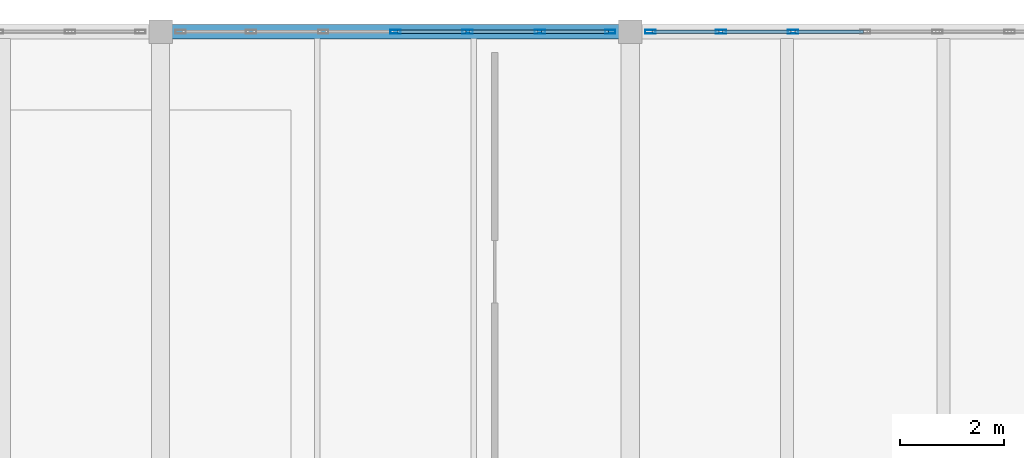
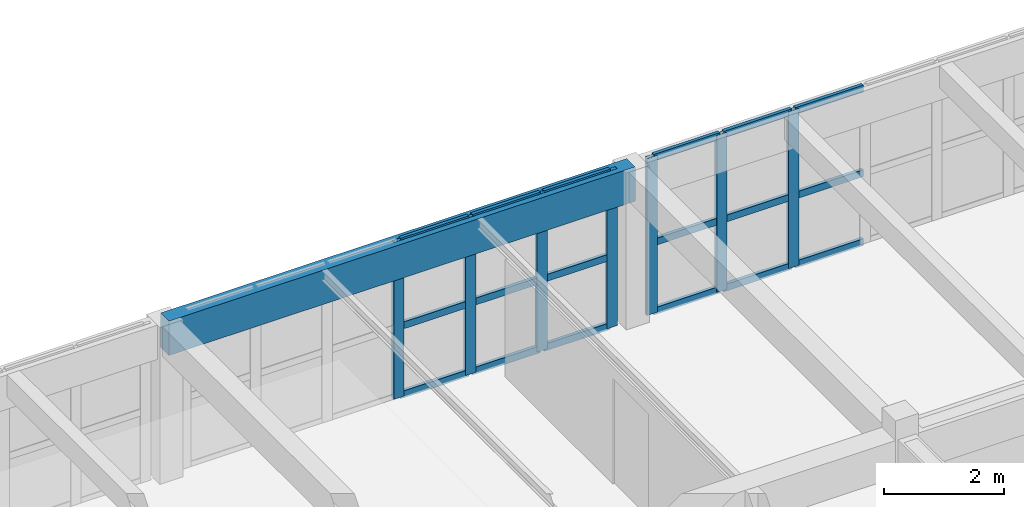
# One storey, part 53 of 80: 25 members, 1 beam, 2 elements without a shape of their own.
"""IFC4 building model written with IfcOpenShell, lengths in metres."""

from ifc_helpers import new_model, si_unit, direction, frame, origin, origin_2d, place, context, subcontext, project, spatial, rectangle, hollow_rectangle, extrude, material, layer, layer_set, material_profile, profile_set, type_object, element, aggregate, save


model = new_model("IFC4")

# Units and contexts
model_context = context("Model", 3, precision=1e-05, world=origin(), true_north=direction((0.0, 1.0)))
body_context = subcontext(model_context, "Body", "Model", "MODEL_VIEW")
ifc_project = project(units=[si_unit("LENGTHUNIT", "METRE"), si_unit("AREAUNIT", "SQUARE_METRE"), si_unit("VOLUMEUNIT", "CUBIC_METRE"), si_unit("PLANEANGLEUNIT", "RADIAN"), si_unit("MASSUNIT", "GRAM", prefix="KILO")], contexts=[model_context])

# Site, building, storey
site_placement = place(None, origin())
site = spatial("IfcSite", under=ifc_project, at=site_placement, CompositionType="ELEMENT")
building_placement = place(site_placement, origin())
building = spatial("IfcBuilding", under=site, at=building_placement, Name="Ornek Quay Market", CompositionType="ELEMENT")
storey_placement = place(building_placement, frame((0.0, 0.0, 8.39990234375)))
storey = spatial("IfcBuildingStorey", under=building, at=storey_placement, Name="L02", CompositionType="ELEMENT", Elevation=8.39990234375)

# Beam
ifc_material_1 = material(Name="Concrete C35/45", Category="concrete")
ifc_material_profile_1 = material_profile(ifc_material_1, rectangle(XDim=0.280029296875, YDim=0.699951171875, at=origin_2d()), Name="RC 280x700", Category="concrete")
ifc_profile_set_1 = profile_set([ifc_material_profile_1], Name="Concrete C35/45")
beam_type = type_object("IfcBeamType", Name="BM-SPN-280x700", PredefinedType="SPANDREL", material=ifc_profile_set_1)
beam_placement = place(storey_placement, frame((162.0, 110.0, 2.85009765625), z_axis=(1.0, 0.0, 0.0), x_axis=(0.0, 1.0, 0.0)))
element("IfcBeam", 1, at=beam_placement, inside=storey, type_object=beam_type, Name="Primary beam B-SP2-091", PredefinedType="SPANDREL", context=body_context, shape_type="SweptSolid", body=[
    extrude(rectangle(XDim=0.280029296875, YDim=0.699951171875, at=origin_2d()), origin(), (0.0, 0.0, 1.0), 9.0),
])

# Curtain wall, members
ifc_material_2 = material(Name="Anodised bronze aluminium and triple low-e glass", Category="aluminium")
ifc_layer = layer(ifc_material_2, 0.18994140625, Name="Anodised bronze aluminium and triple low-e glass", Category="aluminium")
ifc_layer_set = layer_set([ifc_layer], Name="Anodised bronze aluminium and triple low-e glass")
curtain_wall_type = type_object("IfcCurtainWallType", Name="CW-FC-MOD1500", PredefinedType="USERDEFINED", material=ifc_layer_set)
curtain_wall_1_placement = place(storey_placement, origin())
curtain_wall_1 = element("IfcCurtainWall", 2, at=curtain_wall_1_placement, inside=storey, type_object=curtain_wall_type, Name="Curtain wall CW-089", ObjectType="CURTAIN WALL", PredefinedType="USERDEFINED")
ifc_material_3 = material(Name="Anodised aluminium 6063-T6", Category="aluminium")
ifc_material_profile_2 = material_profile(ifc_material_3, hollow_rectangle(XDim=0.070068359375, YDim=0.199951171875, WallThickness=0.0048828125, at=origin_2d()), Name="CW-MUL-70x200", Category="aluminium")
ifc_profile_set_2 = profile_set([ifc_material_profile_2], Name="Anodised aluminium 6063-T6")
member_type_1 = type_object("IfcMemberType", Name="CW-MUL-70x200", PredefinedType="MULLION", material=ifc_profile_set_2)
member_1_placement = place(storey_placement, frame((166.5, 110.0, 0.0), z_axis=(0.0, 0.0, 1.0), x_axis=(0.0, 1.0, 0.0)))
member_1 = element("IfcMember", 3, at=member_1_placement, type_object=member_type_1, Name="CW-089 mullion 4", PredefinedType="MULLION", context=body_context, shape_type="SweptSolid", body=[
    extrude(hollow_rectangle(XDim=0.070068359375, YDim=0.199951171875, WallThickness=0.0048828125, at=origin_2d()), origin(), (0.0, 0.0, 1.0), 3.2001953125),
])
member_2_placement = place(storey_placement, frame((167.88330078125, 110.0, 0.0), z_axis=(0.0, 0.0, 1.0), x_axis=(0.0, 1.0, 0.0)))
member_2 = element("IfcMember", 4, at=member_2_placement, type_object=member_type_1, Name="CW-089 mullion 5", PredefinedType="MULLION", context=body_context, shape_type="SweptSolid", body=[
    extrude(hollow_rectangle(XDim=0.070068359375, YDim=0.199951171875, WallThickness=0.0048828125, at=origin_2d()), origin(), (0.0, 0.0, 1.0), 3.2001953125),
])
member_3_placement = place(storey_placement, frame((169.2666015625, 110.0, 0.0), z_axis=(0.0, 0.0, 1.0), x_axis=(0.0, 1.0, 0.0)))
member_3 = element("IfcMember", 5, at=member_3_placement, type_object=member_type_1, Name="CW-089 mullion 6", PredefinedType="MULLION", context=body_context, shape_type="SweptSolid", body=[
    extrude(hollow_rectangle(XDim=0.070068359375, YDim=0.199951171875, WallThickness=0.0048828125, at=origin_2d()), origin(), (0.0, 0.0, 1.0), 3.2001953125),
])
member_4_placement = place(storey_placement, frame((170.614990234375, 110.0, 0.0), z_axis=(0.0, 0.0, 1.0), x_axis=(0.0, 1.0, 0.0)))
member_4 = element("IfcMember", 6, at=member_4_placement, type_object=member_type_1, Name="CW-089 mullion 7", PredefinedType="MULLION", context=body_context, shape_type="SweptSolid", body=[
    extrude(hollow_rectangle(XDim=0.070068359375, YDim=0.199951171875, WallThickness=0.0048828125, at=origin_2d()), origin(), (0.0, 0.0, 1.0), 3.2001953125),
])

curtain_wall_2_placement = place(storey_placement, origin())
curtain_wall_2 = element("IfcCurtainWall", 7, at=curtain_wall_2_placement, inside=storey, type_object=curtain_wall_type, Name="Curtain wall CW-090", ObjectType="CURTAIN WALL", PredefinedType="USERDEFINED")
member_5_placement = place(storey_placement, frame((171.385009765625, 110.0, 0.0), z_axis=(0.0, 0.0, 1.0), x_axis=(0.0, 1.0, 0.0)))
member_5 = element("IfcMember", 8, at=member_5_placement, type_object=member_type_1, Name="CW-090 mullion 1", PredefinedType="MULLION", context=body_context, shape_type="SweptSolid", body=[
    extrude(hollow_rectangle(XDim=0.070068359375, YDim=0.199951171875, WallThickness=0.0048828125, at=origin_2d()), origin(), (0.0, 0.0, 1.0), 3.2001953125),
])
member_6_placement = place(storey_placement, frame((172.7333984375, 110.0, 0.0), z_axis=(0.0, 0.0, 1.0), x_axis=(0.0, 1.0, 0.0)))
member_6 = element("IfcMember", 9, at=member_6_placement, type_object=member_type_1, Name="CW-090 mullion 2", PredefinedType="MULLION", context=body_context, shape_type="SweptSolid", body=[
    extrude(hollow_rectangle(XDim=0.070068359375, YDim=0.199951171875, WallThickness=0.0048828125, at=origin_2d()), origin(), (0.0, 0.0, 1.0), 3.2001953125),
])
member_7_placement = place(storey_placement, frame((174.11669921875, 110.0, 0.0), z_axis=(0.0, 0.0, 1.0), x_axis=(0.0, 1.0, 0.0)))
member_7 = element("IfcMember", 10, at=member_7_placement, type_object=member_type_1, Name="CW-090 mullion 3", PredefinedType="MULLION", context=body_context, shape_type="SweptSolid", body=[
    extrude(hollow_rectangle(XDim=0.070068359375, YDim=0.199951171875, WallThickness=0.0048828125, at=origin_2d()), origin(), (0.0, 0.0, 1.0), 3.2001953125),
])

# Member
ifc_material_profile_3 = material_profile(ifc_material_3, hollow_rectangle(XDim=0.06494140625, YDim=0.139892578125, WallThickness=0.00439453125, at=origin_2d()), Name="CW-TRN-65x140", Category="aluminium")
ifc_profile_set_3 = profile_set([ifc_material_profile_3], Name="Anodised aluminium 6063-T6")
member_type_2 = type_object("IfcMemberType", Name="CW-TRN-65x140", PredefinedType="USERDEFINED", material=ifc_profile_set_3)
member_8_placement = place(storey_placement, frame((166.534912109375, 110.0, 0.03271484375), z_axis=(1.0, 0.0, 0.0), x_axis=(0.0, 1.0, 0.0)))
member_8 = element("IfcMember", 11, at=member_8_placement, type_object=member_type_2, Name="CW-089 transom 4.1", ObjectType="TRANSOM", PredefinedType="USERDEFINED", context=body_context, shape_type="SweptSolid", body=[
    extrude(hollow_rectangle(XDim=0.06494140625, YDim=0.139892578125, WallThickness=0.00439453125, at=origin_2d()), origin(), (0.0, 0.0, 1.0), 1.3134765625),
])

member_9_placement = place(storey_placement, frame((166.534912109375, 110.0, 1.440185546875), z_axis=(1.0, 0.0, 0.0), x_axis=(0.0, 1.0, 0.0)))
member_9 = element("IfcMember", 12, at=member_9_placement, type_object=member_type_2, Name="CW-089 transom 4.2", ObjectType="TRANSOM", PredefinedType="USERDEFINED", context=body_context, shape_type="SweptSolid", body=[
    extrude(hollow_rectangle(XDim=0.06494140625, YDim=0.139892578125, WallThickness=0.00439453125, at=origin_2d()), origin(), (0.0, 0.0, 1.0), 1.3134765625),
])

member_10_placement = place(storey_placement, frame((166.534912109375, 110.0, 3.16748046875), z_axis=(1.0, 0.0, 0.0), x_axis=(0.0, 1.0, 0.0)))
member_10 = element("IfcMember", 13, at=member_10_placement, type_object=member_type_2, Name="CW-089 transom 4.3", ObjectType="TRANSOM", PredefinedType="USERDEFINED", context=body_context, shape_type="SweptSolid", body=[
    extrude(hollow_rectangle(XDim=0.06494140625, YDim=0.139892578125, WallThickness=0.00439453125, at=origin_2d()), origin(), (0.0, 0.0, 1.0), 1.3134765625),
])

member_11_placement = place(storey_placement, frame((167.918212890625, 110.0, 0.03271484375), z_axis=(1.0, 0.0, 0.0), x_axis=(0.0, 1.0, 0.0)))
member_11 = element("IfcMember", 14, at=member_11_placement, type_object=member_type_2, Name="CW-089 transom 5.1", ObjectType="TRANSOM", PredefinedType="USERDEFINED", context=body_context, shape_type="SweptSolid", body=[
    extrude(hollow_rectangle(XDim=0.06494140625, YDim=0.139892578125, WallThickness=0.00439453125, at=origin_2d()), origin(), (0.0, 0.0, 1.0), 1.3134765625),
])

member_12_placement = place(storey_placement, frame((167.918212890625, 110.0, 1.440185546875), z_axis=(1.0, 0.0, 0.0), x_axis=(0.0, 1.0, 0.0)))
member_12 = element("IfcMember", 15, at=member_12_placement, type_object=member_type_2, Name="CW-089 transom 5.2", ObjectType="TRANSOM", PredefinedType="USERDEFINED", context=body_context, shape_type="SweptSolid", body=[
    extrude(hollow_rectangle(XDim=0.06494140625, YDim=0.139892578125, WallThickness=0.00439453125, at=origin_2d()), origin(), (0.0, 0.0, 1.0), 1.3134765625),
])

member_13_placement = place(storey_placement, frame((167.918212890625, 110.0, 3.16748046875), z_axis=(1.0, 0.0, 0.0), x_axis=(0.0, 1.0, 0.0)))
member_13 = element("IfcMember", 16, at=member_13_placement, type_object=member_type_2, Name="CW-089 transom 5.3", ObjectType="TRANSOM", PredefinedType="USERDEFINED", context=body_context, shape_type="SweptSolid", body=[
    extrude(hollow_rectangle(XDim=0.06494140625, YDim=0.139892578125, WallThickness=0.00439453125, at=origin_2d()), origin(), (0.0, 0.0, 1.0), 1.3134765625),
])

member_14_placement = place(storey_placement, frame((169.3017578125, 110.0, 0.03271484375), z_axis=(1.0, 0.0, 0.0), x_axis=(0.0, 1.0, 0.0)))
member_14 = element("IfcMember", 17, at=member_14_placement, type_object=member_type_2, Name="CW-089 transom 6.1", ObjectType="TRANSOM", PredefinedType="USERDEFINED", context=body_context, shape_type="SweptSolid", body=[
    extrude(hollow_rectangle(XDim=0.06494140625, YDim=0.139892578125, WallThickness=0.00439453125, at=origin_2d()), origin(), (0.0, 0.0, 1.0), 1.2783203125),
])

member_15_placement = place(storey_placement, frame((169.3017578125, 110.0, 1.440185546875), z_axis=(1.0, 0.0, 0.0), x_axis=(0.0, 1.0, 0.0)))
member_15 = element("IfcMember", 18, at=member_15_placement, type_object=member_type_2, Name="CW-089 transom 6.2", ObjectType="TRANSOM", PredefinedType="USERDEFINED", context=body_context, shape_type="SweptSolid", body=[
    extrude(hollow_rectangle(XDim=0.06494140625, YDim=0.139892578125, WallThickness=0.00439453125, at=origin_2d()), origin(), (0.0, 0.0, 1.0), 1.2783203125),
])

member_16_placement = place(storey_placement, frame((169.3017578125, 110.0, 3.16748046875), z_axis=(1.0, 0.0, 0.0), x_axis=(0.0, 1.0, 0.0)))
member_16 = element("IfcMember", 19, at=member_16_placement, type_object=member_type_2, Name="CW-089 transom 6.3", ObjectType="TRANSOM", PredefinedType="USERDEFINED", context=body_context, shape_type="SweptSolid", body=[
    extrude(hollow_rectangle(XDim=0.06494140625, YDim=0.139892578125, WallThickness=0.00439453125, at=origin_2d()), origin(), (0.0, 0.0, 1.0), 1.2783203125),
])

aggregate(curtain_wall_1, [member_1, member_2, member_3, member_4, member_8, member_9, member_10, member_11, member_12, member_13, member_14, member_15, member_16])

member_17_placement = place(storey_placement, frame((171.419921875, 110.0, 0.03271484375), z_axis=(1.0, 0.0, 0.0), x_axis=(0.0, 1.0, 0.0)))
member_17 = element("IfcMember", 20, at=member_17_placement, type_object=member_type_2, Name="CW-090 transom 1.1", ObjectType="TRANSOM", PredefinedType="USERDEFINED", context=body_context, shape_type="SweptSolid", body=[
    extrude(hollow_rectangle(XDim=0.06494140625, YDim=0.139892578125, WallThickness=0.00439453125, at=origin_2d()), origin(), (0.0, 0.0, 1.0), 1.2783203125),
])

member_18_placement = place(storey_placement, frame((171.419921875, 110.0, 1.440185546875), z_axis=(1.0, 0.0, 0.0), x_axis=(0.0, 1.0, 0.0)))
member_18 = element("IfcMember", 21, at=member_18_placement, type_object=member_type_2, Name="CW-090 transom 1.2", ObjectType="TRANSOM", PredefinedType="USERDEFINED", context=body_context, shape_type="SweptSolid", body=[
    extrude(hollow_rectangle(XDim=0.06494140625, YDim=0.139892578125, WallThickness=0.00439453125, at=origin_2d()), origin(), (0.0, 0.0, 1.0), 1.2783203125),
])

member_19_placement = place(storey_placement, frame((171.419921875, 110.0, 3.16748046875), z_axis=(1.0, 0.0, 0.0), x_axis=(0.0, 1.0, 0.0)))
member_19 = element("IfcMember", 22, at=member_19_placement, type_object=member_type_2, Name="CW-090 transom 1.3", ObjectType="TRANSOM", PredefinedType="USERDEFINED", context=body_context, shape_type="SweptSolid", body=[
    extrude(hollow_rectangle(XDim=0.06494140625, YDim=0.139892578125, WallThickness=0.00439453125, at=origin_2d()), origin(), (0.0, 0.0, 1.0), 1.2783203125),
])

member_20_placement = place(storey_placement, frame((172.768310546875, 110.0, 0.03271484375), z_axis=(1.0, 0.0, 0.0), x_axis=(0.0, 1.0, 0.0)))
member_20 = element("IfcMember", 23, at=member_20_placement, type_object=member_type_2, Name="CW-090 transom 2.1", ObjectType="TRANSOM", PredefinedType="USERDEFINED", context=body_context, shape_type="SweptSolid", body=[
    extrude(hollow_rectangle(XDim=0.06494140625, YDim=0.139892578125, WallThickness=0.00439453125, at=origin_2d()), origin(), (0.0, 0.0, 1.0), 1.3134765625),
])

member_21_placement = place(storey_placement, frame((172.768310546875, 110.0, 1.440185546875), z_axis=(1.0, 0.0, 0.0), x_axis=(0.0, 1.0, 0.0)))
member_21 = element("IfcMember", 24, at=member_21_placement, type_object=member_type_2, Name="CW-090 transom 2.2", ObjectType="TRANSOM", PredefinedType="USERDEFINED", context=body_context, shape_type="SweptSolid", body=[
    extrude(hollow_rectangle(XDim=0.06494140625, YDim=0.139892578125, WallThickness=0.00439453125, at=origin_2d()), origin(), (0.0, 0.0, 1.0), 1.3134765625),
])

member_22_placement = place(storey_placement, frame((172.768310546875, 110.0, 3.16748046875), z_axis=(1.0, 0.0, 0.0), x_axis=(0.0, 1.0, 0.0)))
member_22 = element("IfcMember", 25, at=member_22_placement, type_object=member_type_2, Name="CW-090 transom 2.3", ObjectType="TRANSOM", PredefinedType="USERDEFINED", context=body_context, shape_type="SweptSolid", body=[
    extrude(hollow_rectangle(XDim=0.06494140625, YDim=0.139892578125, WallThickness=0.00439453125, at=origin_2d()), origin(), (0.0, 0.0, 1.0), 1.3134765625),
])

member_23_placement = place(storey_placement, frame((174.151611328125, 110.0, 0.03271484375), z_axis=(1.0, 0.0, 0.0), x_axis=(0.0, 1.0, 0.0)))
member_23 = element("IfcMember", 26, at=member_23_placement, type_object=member_type_2, Name="CW-090 transom 3.1", ObjectType="TRANSOM", PredefinedType="USERDEFINED", context=body_context, shape_type="SweptSolid", body=[
    extrude(hollow_rectangle(XDim=0.06494140625, YDim=0.139892578125, WallThickness=0.00439453125, at=origin_2d()), origin(), (0.0, 0.0, 1.0), 1.3134765625),
])

member_24_placement = place(storey_placement, frame((174.151611328125, 110.0, 1.440185546875), z_axis=(1.0, 0.0, 0.0), x_axis=(0.0, 1.0, 0.0)))
member_24 = element("IfcMember", 27, at=member_24_placement, type_object=member_type_2, Name="CW-090 transom 3.2", ObjectType="TRANSOM", PredefinedType="USERDEFINED", context=body_context, shape_type="SweptSolid", body=[
    extrude(hollow_rectangle(XDim=0.06494140625, YDim=0.139892578125, WallThickness=0.00439453125, at=origin_2d()), origin(), (0.0, 0.0, 1.0), 1.3134765625),
])

member_25_placement = place(storey_placement, frame((174.151611328125, 110.0, 3.16748046875), z_axis=(1.0, 0.0, 0.0), x_axis=(0.0, 1.0, 0.0)))
member_25 = element("IfcMember", 28, at=member_25_placement, type_object=member_type_2, Name="CW-090 transom 3.3", ObjectType="TRANSOM", PredefinedType="USERDEFINED", context=body_context, shape_type="SweptSolid", body=[
    extrude(hollow_rectangle(XDim=0.06494140625, YDim=0.139892578125, WallThickness=0.00439453125, at=origin_2d()), origin(), (0.0, 0.0, 1.0), 1.3134765625),
])

aggregate(curtain_wall_2, [member_5, member_6, member_7, member_17, member_18, member_19, member_20, member_21, member_22, member_23, member_24, member_25])

save(model, "model.ifc")
